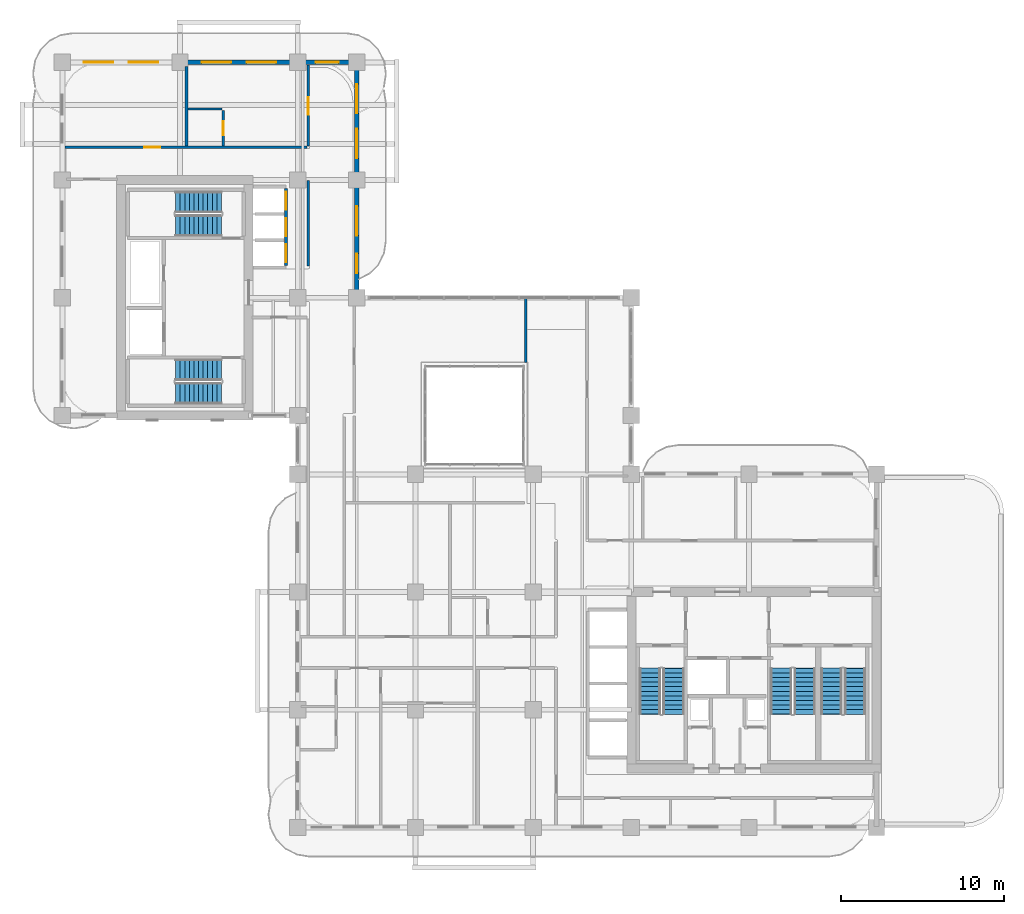
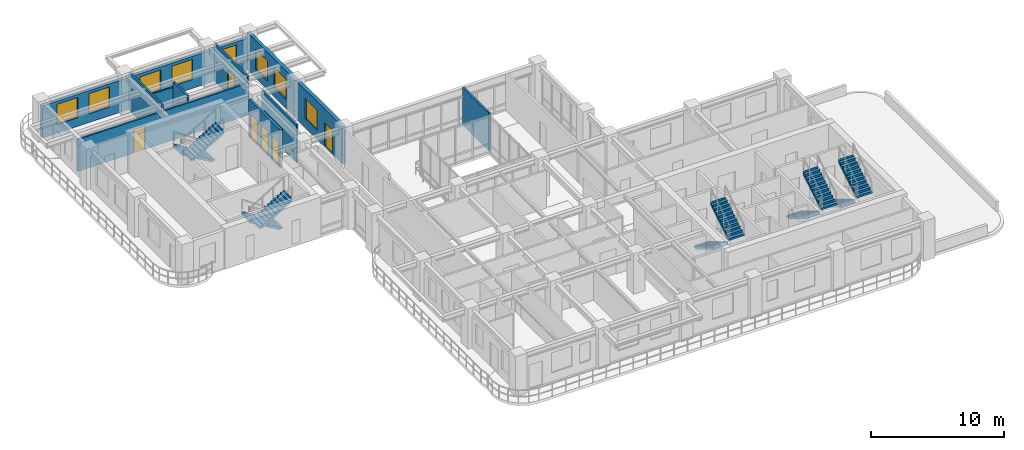
# One storey, part 15 of 20: 10 stair flights, 10 walls, 8 windows, 7 doors, 15 openings, 5 elements without a shape of their own.
"""IFC4 building model written with IfcOpenShell, lengths in metres."""

from ifc_helpers import new_model, si_unit, derived_unit, direction, frame, frame_2d, origin, place, context, subcontext, project, spatial, polyline, rectangle, outline, extrude, source, transform, mapped, material, layer, layer_set, type_object, type_shapes, element, fill, aggregate, save


model = new_model("IFC4")

# Units and contexts
model_context = context("Model", 3, precision=1e-05, world=origin(), true_north=direction((0.0, 1.0)))
body_context = subcontext(model_context, "Body", "Model", "MODEL_VIEW")
ifc_project = project(units=[si_unit("LENGTHUNIT", "METRE"), si_unit("AREAUNIT", "SQUARE_METRE"), si_unit("VOLUMEUNIT", "CUBIC_METRE"), si_unit("PLANEANGLEUNIT", "RADIAN"), si_unit("MASSUNIT", "GRAM", prefix="KILO"), si_unit("THERMODYNAMICTEMPERATUREUNIT", "KELVIN"), si_unit("POWERUNIT", "WATT"), derived_unit("THERMALTRANSMITTANCEUNIT", [(si_unit("POWERUNIT", "WATT"), 1), (si_unit("AREAUNIT", "SQUARE_METRE"), -1), (si_unit("THERMODYNAMICTEMPERATUREUNIT", "KELVIN"), -1)])], contexts=[model_context])

# Site, building, storey
site_placement = place(None, origin())
site = spatial("IfcSite", under=ifc_project, at=site_placement, CompositionType="ELEMENT")
building_placement = place(site_placement, origin())
building = spatial("IfcBuilding", under=site, at=building_placement, Name="Zahravan Archway Hotel and Residences", CompositionType="ELEMENT")
storey_placement = place(building_placement, frame((0.0, 0.0, 111.800048828125)))
storey = spatial("IfcBuildingStorey", under=building, at=storey_placement, Name="L27", CompositionType="ELEMENT", Elevation=111.800048828125)

# Wall, openings, windows
ifc_material_1 = material(Name="Honed Red-Ochre Sandstone & Insulated Block", Category="masonry")
ifc_layer_1 = layer(ifc_material_1, 0.280029296875, Name="Honed Red-Ochre Sandstone & Insulated Block", Category="masonry")
ifc_layer_set_1 = layer_set([ifc_layer_1], Name="Honed Red-Ochre Sandstone & Insulated Block")
wall_type_1 = type_object("IfcWallType", Name="EW-LOG-280", PredefinedType="SOLIDWALL", material=ifc_layer_set_1)
wall_1_placement = place(storey_placement, frame((0.0, 46.800048828125, 0.0), z_axis=(0.0, 0.0, 1.0), x_axis=(1.0, 0.0, 0.0)))
wall_1 = element("IfcWall", 1, at=wall_1_placement, inside=storey, type_object=wall_type_1, Name="L27 Exterior Sandstone Wall WB-N", PredefinedType="SOLIDWALL", context=body_context, shape_type="SweptSolid", body=[
    extrude(rectangle(XDim=18.0, YDim=0.280029296875, at=frame_2d((9.0, 0.0))), origin(), (0.0, 0.0, 1.0), 2.93505859375),
])
opening_1_placement = place(wall_1_placement, frame((1.324951171875, 0.0, 0.800048828125)))
opening_1 = element("IfcOpeningElement", 2, at=opening_1_placement, cuts=wall_1, Name="Opening W-02", PredefinedType="OPENING", context=body_context, shape_type="SweptSolid", body=[
    extrude(rectangle(XDim=1.800048828125, YDim=1.85009765625, at=frame_2d((0.89990234375, 0.925048828125))), frame((0.0, 0.14990234375, 0.0), z_axis=(0.0, -1.0, 0.0), x_axis=(1.0, 0.0, 0.0)), (0.0, 0.0, 1.0), 0.300048828125),
])
opening_2_placement = place(wall_1_placement, frame((4.074951171875, 0.0, 0.800048828125)))
opening_2 = element("IfcOpeningElement", 3, at=opening_2_placement, cuts=wall_1, Name="Opening W-02", PredefinedType="OPENING", context=body_context, shape_type="SweptSolid", body=[
    extrude(rectangle(XDim=1.800048828125, YDim=1.85009765625, at=frame_2d((0.89990234375, 0.925048828125))), frame((0.0, 0.14990234375, 0.0), z_axis=(0.0, -1.0, 0.0), x_axis=(1.0, 0.0, 0.0)), (0.0, 0.0, 1.0), 0.300048828125),
])
opening_3_placement = place(wall_1_placement, frame((8.52490234375, 0.0, 0.800048828125)))
opening_3 = element("IfcOpeningElement", 4, at=opening_3_placement, cuts=wall_1, Name="Opening W-02", PredefinedType="OPENING", context=body_context, shape_type="SweptSolid", body=[
    extrude(rectangle(XDim=1.800048828125, YDim=1.85009765625, at=frame_2d((0.89990234375, 0.925048828125))), frame((0.0, 0.14990234375, 0.0), z_axis=(0.0, -1.0, 0.0), x_axis=(1.0, 0.0, 0.0)), (0.0, 0.0, 1.0), 0.300048828125),
])
opening_4_placement = place(wall_1_placement, frame((11.27490234375, 0.0, 0.800048828125)))
opening_4 = element("IfcOpeningElement", 5, at=opening_4_placement, cuts=wall_1, Name="Opening W-02", PredefinedType="OPENING", context=body_context, shape_type="SweptSolid", body=[
    extrude(rectangle(XDim=1.800048828125, YDim=1.85009765625, at=frame_2d((0.89990234375, 0.925048828125))), frame((0.0, 0.14990234375, 0.0), z_axis=(0.0, -1.0, 0.0), x_axis=(1.0, 0.0, 0.0)), (0.0, 0.0, 1.0), 0.300048828125),
])
opening_5_placement = place(wall_1_placement, frame((15.5, 0.0, 0.800048828125)))
opening_5 = element("IfcOpeningElement", 6, at=opening_5_placement, cuts=wall_1, Name="Opening W-03", PredefinedType="OPENING", context=body_context, shape_type="SweptSolid", body=[
    extrude(rectangle(XDim=1.39990234375, YDim=1.85009765625, at=frame_2d((0.699951171875, 0.925048828125))), frame((0.0, 0.14990234375, 0.0), z_axis=(0.0, -1.0, 0.0), x_axis=(1.0, 0.0, 0.0)), (0.0, 0.0, 1.0), 0.300048828125),
])
ifc_material_2 = material(Name="Bronze-Anodized Thermal-Break Aluminium & Low-E Glass", Category="aluminium")
window_type_1 = type_object("IfcWindowType", Name="WIN-TWR-1400", PartitioningType="SINGLE_PANEL", PredefinedType="WINDOW", material=ifc_material_2)
shared_shape_1 = source(origin(), body_context, "Body", "SweptSolid", [
    extrude(rectangle(XDim=1.39990234375, YDim=1.85009765625, at=frame_2d((0.699951171875, 0.925048828125))), frame((0.0, 0.030029296875, 0.0), z_axis=(0.0, -1.0, 0.0), x_axis=(1.0, 0.0, 0.0)), (0.0, 0.0, 1.0), 0.06005859375),
])
type_shapes(window_type_1, [shared_shape_1])
window_1_placement = place(opening_5_placement, origin())
window_1 = element("IfcWindow", 7, at=window_1_placement, inside=storey, type_object=window_type_1, Name="L27 Loggia Window 30", OverallHeight=1.85009765625, OverallWidth=1.39990234375, PartitioningType="SINGLE_PANEL", PredefinedType="WINDOW", context=body_context, shape_type="MappedRepresentation", body=[
    mapped(shared_shape_1, transform((0.0, 0.0, 0.0), scale=1.0)),
])
fill(opening_5, window_1)
window_type_2 = type_object("IfcWindowType", Name="WIN-TWR-1800", PartitioningType="DOUBLE_PANEL_VERTICAL", PredefinedType="WINDOW", material=ifc_material_2)
shared_shape_2 = source(origin(), body_context, "Body", "SweptSolid", [
    extrude(rectangle(XDim=1.800048828125, YDim=1.85009765625, at=frame_2d((0.89990234375, 0.925048828125))), frame((0.0, 0.030029296875, 0.0), z_axis=(0.0, -1.0, 0.0), x_axis=(1.0, 0.0, 0.0)), (0.0, 0.0, 1.0), 0.06005859375),
])
type_shapes(window_type_2, [shared_shape_2])
window_2_placement = place(opening_1_placement, origin())
window_2 = element("IfcWindow", 8, at=window_2_placement, inside=storey, type_object=window_type_2, Name="L27 Loggia Window 26", OverallHeight=1.85009765625, OverallWidth=1.800048828125, PartitioningType="DOUBLE_PANEL_VERTICAL", PredefinedType="WINDOW", context=body_context, shape_type="MappedRepresentation", body=[
    mapped(shared_shape_2, transform((0.0, 0.0, 0.0), scale=1.0)),
])
fill(opening_1, window_2)
window_3_placement = place(opening_2_placement, origin())
window_3 = element("IfcWindow", 9, at=window_3_placement, inside=storey, type_object=window_type_2, Name="L27 Loggia Window 27", OverallHeight=1.85009765625, OverallWidth=1.800048828125, PartitioningType="DOUBLE_PANEL_VERTICAL", PredefinedType="WINDOW", context=body_context, shape_type="MappedRepresentation", body=[
    mapped(shared_shape_2, transform((0.0, 0.0, 0.0), scale=1.0)),
])
fill(opening_2, window_3)
window_4_placement = place(opening_3_placement, origin())
window_4 = element("IfcWindow", 10, at=window_4_placement, inside=storey, type_object=window_type_2, Name="L27 Loggia Window 28", OverallHeight=1.85009765625, OverallWidth=1.800048828125, PartitioningType="DOUBLE_PANEL_VERTICAL", PredefinedType="WINDOW", context=body_context, shape_type="MappedRepresentation", body=[
    mapped(shared_shape_2, transform((0.0, 0.0, 0.0), scale=1.0)),
])
fill(opening_3, window_4)
window_5_placement = place(opening_4_placement, origin())
window_5 = element("IfcWindow", 11, at=window_5_placement, inside=storey, type_object=window_type_2, Name="L27 Loggia Window 29", OverallHeight=1.85009765625, OverallWidth=1.800048828125, PartitioningType="DOUBLE_PANEL_VERTICAL", PredefinedType="WINDOW", context=body_context, shape_type="MappedRepresentation", body=[
    mapped(shared_shape_2, transform((0.0, 0.0, 0.0), scale=1.0)),
])
fill(opening_4, window_5)

# Wall, openings, door, windows
wall_2_placement = place(storey_placement, frame((18.0, 32.39990234375, 0.0), z_axis=(0.0, 0.0, 1.0), x_axis=(0.0, 1.0, 0.0)))
wall_2 = element("IfcWall", 12, at=wall_2_placement, inside=storey, type_object=wall_type_1, Name="L27 Exterior Sandstone Wall WB-EU", PredefinedType="SOLIDWALL", context=body_context, shape_type="SweptSolid", body=[
    extrude(rectangle(XDim=14.35009765625, YDim=0.280029296875, at=frame_2d((7.175048828125, 0.0))), origin(), (0.0, 0.0, 1.0), 3.449951171875),
])
opening_6_placement = place(wall_2_placement, frame((1.5, 0.0, 0.0)))
opening_6 = element("IfcOpeningElement", 13, at=opening_6_placement, cuts=wall_2, Name="Opening ED-BL1", PredefinedType="OPENING", context=body_context, shape_type="SweptSolid", body=[
    extrude(rectangle(XDim=1.199951171875, YDim=2.199951171875, at=frame_2d((0.60009765625, 1.10009765625))), frame((0.0, 0.14990234375, 0.0), z_axis=(0.0, -1.0, 0.0), x_axis=(1.0, 0.0, 0.0)), (0.0, 0.0, 1.0), 0.300048828125),
])
opening_7_placement = place(wall_2_placement, frame((3.800048828125, 0.0, 0.800048828125)))
opening_7 = element("IfcOpeningElement", 14, at=opening_7_placement, cuts=wall_2, Name="Opening W-02", PredefinedType="OPENING", context=body_context, shape_type="SweptSolid", body=[
    extrude(rectangle(XDim=1.800048828125, YDim=1.85009765625, at=frame_2d((0.89990234375, 0.925048828125))), frame((0.0, 0.14990234375, 0.0), z_axis=(0.0, -1.0, 0.0), x_axis=(1.0, 0.0, 0.0)), (0.0, 0.0, 1.0), 0.300048828125),
])
opening_8_placement = place(wall_2_placement, frame((8.52490234375, 0.0, 0.800048828125)))
opening_8 = element("IfcOpeningElement", 15, at=opening_8_placement, cuts=wall_2, Name="Opening W-02", PredefinedType="OPENING", context=body_context, shape_type="SweptSolid", body=[
    extrude(rectangle(XDim=1.800048828125, YDim=1.85009765625, at=frame_2d((0.89990234375, 0.925048828125))), frame((0.0, 0.14990234375, 0.0), z_axis=(0.0, -1.0, 0.0), x_axis=(1.0, 0.0, 0.0)), (0.0, 0.0, 1.0), 0.300048828125),
])
opening_9_placement = place(wall_2_placement, frame((11.27490234375, 0.0, 0.800048828125)))
opening_9 = element("IfcOpeningElement", 16, at=opening_9_placement, cuts=wall_2, Name="Opening W-02", PredefinedType="OPENING", context=body_context, shape_type="SweptSolid", body=[
    extrude(rectangle(XDim=1.800048828125, YDim=1.85009765625, at=frame_2d((0.89990234375, 0.925048828125))), frame((0.0, 0.14990234375, 0.0), z_axis=(0.0, -1.0, 0.0), x_axis=(1.0, 0.0, 0.0)), (0.0, 0.0, 1.0), 0.300048828125),
])
ifc_material_3 = material(Name="Bronze-Anodized Glazed Aluminium", Category="aluminium")
door_type_1 = type_object("IfcDoorType", Name="ED-BALC-1200", OperationType="SLIDING_TO_LEFT", PredefinedType="DOOR", material=ifc_material_3)
shared_shape_3 = source(origin(), body_context, "Body", "SweptSolid", [
    extrude(rectangle(XDim=1.199951171875, YDim=2.199951171875, at=frame_2d((0.60009765625, 1.10009765625))), frame((0.0, 0.02490234375, 0.0), z_axis=(0.0, -1.0, 0.0), x_axis=(1.0, 0.0, 0.0)), (0.0, 0.0, 1.0), 0.050048828125),
])
type_shapes(door_type_1, [shared_shape_3])
door_1_placement = place(opening_6_placement, origin())
door_1 = element("IfcDoor", 17, at=door_1_placement, inside=storey, type_object=door_type_1, Name="L27 Outdoor Access Sliding Door (SLB-BAL-L27-EB)", OperationType="SLIDING_TO_LEFT", OverallHeight=2.199951171875, OverallWidth=1.199951171875, PredefinedType="DOOR", context=body_context, shape_type="MappedRepresentation", body=[
    mapped(shared_shape_3, transform((0.0, 0.0, 0.0), scale=1.0)),
])
fill(opening_6, door_1)
window_6_placement = place(opening_7_placement, origin())
window_6 = element("IfcWindow", 18, at=window_6_placement, inside=storey, type_object=window_type_2, Name="L27 Loggia Window 31", OverallHeight=1.85009765625, OverallWidth=1.800048828125, PartitioningType="DOUBLE_PANEL_VERTICAL", PredefinedType="WINDOW", context=body_context, shape_type="MappedRepresentation", body=[
    mapped(shared_shape_2, transform((0.0, 0.0, 0.0), scale=1.0)),
])
fill(opening_7, window_6)
window_7_placement = place(opening_8_placement, origin())
window_7 = element("IfcWindow", 19, at=window_7_placement, inside=storey, type_object=window_type_2, Name="L27 Loggia Window 32", OverallHeight=1.85009765625, OverallWidth=1.800048828125, PartitioningType="DOUBLE_PANEL_VERTICAL", PredefinedType="WINDOW", context=body_context, shape_type="MappedRepresentation", body=[
    mapped(shared_shape_2, transform((0.0, 0.0, 0.0), scale=1.0)),
])
fill(opening_8, window_7)
window_8_placement = place(opening_9_placement, origin())
window_8 = element("IfcWindow", 20, at=window_8_placement, inside=storey, type_object=window_type_2, Name="L27 Loggia Window 33", OverallHeight=1.85009765625, OverallWidth=1.800048828125, PartitioningType="DOUBLE_PANEL_VERTICAL", PredefinedType="WINDOW", context=body_context, shape_type="MappedRepresentation", body=[
    mapped(shared_shape_2, transform((0.0, 0.0, 0.0), scale=1.0)),
])
fill(opening_9, window_8)

# Wall
ifc_material_4 = material(Name="Fire-Rated Gypsum & Concrete Block", Category="concrete")
ifc_layer_2 = layer(ifc_material_4, 0.159912109375, Name="Fire-Rated Gypsum & Concrete Block", Category="concrete")
ifc_layer_set_2 = layer_set([ifc_layer_2], Name="Fire-Rated Gypsum & Concrete Block")
wall_type_2 = type_object("IfcWallType", Name="PW-CORR-160", PredefinedType="PARTITIONING", material=ifc_layer_set_2)
wall_3_placement = place(storey_placement, frame((15.050048828125, 34.340087890625, 0.0), z_axis=(0.0, 0.0, 1.0), x_axis=(0.0, 1.0, 0.0)))
element("IfcWall", 21, at=wall_3_placement, inside=storey, type_object=wall_type_2, Name="L27 Partition WBN-CL", PredefinedType="PARTITIONING", context=body_context, shape_type="SweptSolid", body=[
    extrude(rectangle(XDim=5.219970703125, YDim=0.159912109375, at=frame_2d((2.60986328125, 0.0))), origin(), (0.0, 0.0, 1.0), 3.449951171875),
])

# Wall, opening, door
wall_4_placement = place(storey_placement, frame((15.050048828125, 41.68994140625, 0.0), z_axis=(0.0, 0.0, 1.0), x_axis=(0.0, 1.0, 0.0)))
wall_4 = element("IfcWall", 22, at=wall_4_placement, inside=storey, type_object=wall_type_2, Name="L27 Partition WBN-CU", PredefinedType="PARTITIONING", context=body_context, shape_type="SweptSolid", body=[
    extrude(rectangle(XDim=4.962158203125, YDim=0.159912109375, at=frame_2d((2.48095703125, 0.0))), origin(), (0.0, 0.0, 1.0), 3.449951171875),
])
opening_10_placement = place(wall_4_placement, frame((1.909912109375, 0.0, 0.0)))
opening_10 = element("IfcOpeningElement", 23, at=opening_10_placement, cuts=wall_4, Name="Opening D-U1", PredefinedType="OPENING", context=body_context, shape_type="SweptSolid", body=[
    extrude(rectangle(XDim=1.050048828125, YDim=2.25, at=frame_2d((0.52490234375, 1.125))), frame((0.0, 0.08984375, 0.0), z_axis=(0.0, -1.0, 0.0), x_axis=(1.0, 0.0, 0.0)), (0.0, 0.0, 1.0), 0.179931640625),
])
ifc_material_5 = material(Name="Hardwood Veneer Timber", Category="wood")
door_type_2 = type_object("IfcDoorType", Name="ID-UNIT-1050", OperationType="NOTDEFINED", PredefinedType="DOOR", material=ifc_material_5)
shared_shape_4 = source(origin(), body_context, "Body", "SweptSolid", [
    extrude(rectangle(XDim=1.050048828125, YDim=2.25, at=frame_2d((0.52490234375, 1.125))), frame((0.0, 0.02490234375, 0.0), z_axis=(0.0, -1.0, 0.0), x_axis=(1.0, 0.0, 0.0)), (0.0, 0.0, 1.0), 0.050048828125),
])
type_shapes(door_type_2, [shared_shape_4])
door_2_placement = place(opening_10_placement, origin())
door_2 = element("IfcDoor", 24, at=door_2_placement, inside=storey, type_object=door_type_2, Name="L27 Hotel Guestroom 78 Entrance Door", OperationType="SINGLE_SWING_LEFT", OverallHeight=2.25, OverallWidth=1.050048828125, PredefinedType="DOOR", context=body_context, shape_type="MappedRepresentation", body=[
    mapped(shared_shape_4, transform((0.0, 0.0, 0.0), scale=1.0)),
])
fill(opening_10, door_2)

wall_5_placement = place(storey_placement, frame((0.14794921875, 41.60009765625, 0.0), z_axis=(0.0, 0.0, 1.0), x_axis=(1.0, 0.0, 0.0)))
wall_5 = element("IfcWall", 25, at=wall_5_placement, inside=storey, type_object=wall_type_2, Name="L27 Partition WBN-S2", PredefinedType="PARTITIONING", context=body_context, shape_type="SweptSolid", body=[
    extrude(rectangle(XDim=14.81201171875, YDim=0.159912109375, at=frame_2d((7.406005859375, 0.0))), origin(), (0.0, 0.0, 1.0), 2.93505859375),
])
opening_11_placement = place(wall_5_placement, frame((4.876953125, 0.0, 0.0)))
opening_11 = element("IfcOpeningElement", 26, at=opening_11_placement, cuts=wall_5, Name="Opening D-I1", PredefinedType="OPENING", context=body_context, shape_type="SweptSolid", body=[
    extrude(rectangle(XDim=0.949951171875, YDim=2.14990234375, at=frame_2d((0.47509765625, 1.074951171875))), frame((0.0, 0.08984375, 0.0), z_axis=(0.0, -1.0, 0.0), x_axis=(1.0, 0.0, 0.0)), (0.0, 0.0, 1.0), 0.179931640625),
])
door_type_3 = type_object("IfcDoorType", Name="ID-INT-950", OperationType="NOTDEFINED", PredefinedType="DOOR", material=ifc_material_5)
shared_shape_5 = source(origin(), body_context, "Body", "SweptSolid", [
    extrude(rectangle(XDim=0.949951171875, YDim=2.14990234375, at=frame_2d((0.47509765625, 1.074951171875))), frame((0.0, 0.02490234375, 0.0), z_axis=(0.0, -1.0, 0.0), x_axis=(1.0, 0.0, 0.0)), (0.0, 0.0, 1.0), 0.050048828125),
])
type_shapes(door_type_3, [shared_shape_5])
door_3_placement = place(opening_11_placement, origin())
door_3 = element("IfcDoor", 27, at=door_3_placement, inside=storey, type_object=door_type_3, Name="L27 North West Study Door", OperationType="SINGLE_SWING_LEFT", OverallHeight=2.14990234375, OverallWidth=0.949951171875, PredefinedType="DOOR", context=body_context, shape_type="MappedRepresentation", body=[
    mapped(shared_shape_5, transform((0.0, 0.0, 0.0), scale=1.0)),
])
fill(opening_11, door_3)

# Wall
wall_6_placement = place(storey_placement, frame((28.35009765625, 28.43994140625, 0.0), z_axis=(0.0, 0.0, 1.0), x_axis=(0.0, 1.0, 0.0)))
element("IfcWall", 28, at=wall_6_placement, inside=storey, type_object=wall_type_2, Name="L27 Partition ATR-NWE", PredefinedType="PARTITIONING", context=body_context, shape_type="SweptSolid", body=[
    extrude(rectangle(XDim=3.93212890625, YDim=0.159912109375, at=frame_2d((1.966064453125, 0.0))), origin(), (0.0, 0.0, 1.0), 3.449951171875),
])

# Wall, openings, doors
ifc_layer_3 = layer(ifc_material_4, 0.199951171875, Name="Fire-Rated Gypsum & Concrete Block", Category="concrete")
ifc_layer_set_3 = layer_set([ifc_layer_3], Name="Fire-Rated Gypsum & Concrete Block")
wall_type_3 = type_object("IfcWallType", Name="PW-SHAFT-200", PredefinedType="PARTITIONING", material=ifc_layer_set_3)
wall_7_placement = place(storey_placement, frame((13.679931640625, 34.360107421875, 0.0), z_axis=(0.0, 0.0, 1.0), x_axis=(0.0, 1.0, 0.0)))
wall_7 = element("IfcWall", 29, at=wall_7_placement, inside=storey, type_object=wall_type_3, Name="L27 Partition B2-E", PredefinedType="PARTITIONING", context=body_context, shape_type="SweptSolid", body=[
    extrude(rectangle(XDim=4.719970703125, YDim=0.199951171875, at=frame_2d((2.35986328125, 0.0))), origin(), (0.0, 0.0, 1.0), 3.449951171875),
])
opening_12_placement = place(wall_7_placement, frame((0.2099609375, 0.0, 0.0)))
opening_12 = element("IfcOpeningElement", 30, at=opening_12_placement, cuts=wall_7, Name="Opening LD", PredefinedType="OPENING", context=body_context, shape_type="SweptSolid", body=[
    extrude(rectangle(XDim=1.10009765625, YDim=2.199951171875, at=frame_2d((0.550048828125, 1.10009765625))), frame((0.0, 0.10986328125, 0.0), z_axis=(0.0, -1.0, 0.0), x_axis=(1.0, 0.0, 0.0)), (0.0, 0.0, 1.0), 0.219970703125),
])
opening_13_placement = place(wall_7_placement, frame((1.81005859375, 0.0, 0.0)))
opening_13 = element("IfcOpeningElement", 31, at=opening_13_placement, cuts=wall_7, Name="Opening LD", PredefinedType="OPENING", context=body_context, shape_type="SweptSolid", body=[
    extrude(rectangle(XDim=1.10009765625, YDim=2.199951171875, at=frame_2d((0.550048828125, 1.10009765625))), frame((0.0, 0.10986328125, 0.0), z_axis=(0.0, -1.0, 0.0), x_axis=(1.0, 0.0, 0.0)), (0.0, 0.0, 1.0), 0.219970703125),
])
opening_14_placement = place(wall_7_placement, frame((3.409912109375, 0.0, 0.0)))
opening_14 = element("IfcOpeningElement", 32, at=opening_14_placement, cuts=wall_7, Name="Opening LD", PredefinedType="OPENING", context=body_context, shape_type="SweptSolid", body=[
    extrude(rectangle(XDim=1.10009765625, YDim=2.199951171875, at=frame_2d((0.550048828125, 1.10009765625))), frame((0.0, 0.10986328125, 0.0), z_axis=(0.0, -1.0, 0.0), x_axis=(1.0, 0.0, 0.0)), (0.0, 0.0, 1.0), 0.219970703125),
])
ifc_material_6 = material(Name="Brushed Stainless Steel", Category="steel")
door_type_4 = type_object("IfcDoorType", Name="DR-LIFT-LD", OperationType="SLIDING_TO_LEFT", PredefinedType="DOOR", material=ifc_material_6)
shared_shape_6 = source(origin(), body_context, "Body", "SweptSolid", [
    extrude(rectangle(XDim=1.10009765625, YDim=2.199951171875, at=frame_2d((0.550048828125, 1.10009765625))), frame((0.0, 0.02490234375, 0.0), z_axis=(0.0, -1.0, 0.0), x_axis=(1.0, 0.0, 0.0)), (0.0, 0.0, 1.0), 0.050048828125),
])
type_shapes(door_type_4, [shared_shape_6])
door_4_placement = place(opening_12_placement, origin())
door_4 = element("IfcDoor", 33, at=door_4_placement, inside=storey, type_object=door_type_4, Name="L27 Lift LP-4 Sliding Landing Door", OperationType="SLIDING_TO_LEFT", OverallHeight=2.199951171875, OverallWidth=1.10009765625, PredefinedType="DOOR", context=body_context, shape_type="MappedRepresentation", body=[
    mapped(shared_shape_6, transform((0.0, 0.0, 0.0), scale=1.0)),
])
fill(opening_12, door_4)
door_5_placement = place(opening_13_placement, origin())
door_5 = element("IfcDoor", 34, at=door_5_placement, inside=storey, type_object=door_type_4, Name="L27 Lift LP-5 Sliding Landing Door", OperationType="SLIDING_TO_LEFT", OverallHeight=2.199951171875, OverallWidth=1.10009765625, PredefinedType="DOOR", context=body_context, shape_type="MappedRepresentation", body=[
    mapped(shared_shape_6, transform((0.0, 0.0, 0.0), scale=1.0)),
])
fill(opening_13, door_5)
door_6_placement = place(opening_14_placement, origin())
door_6 = element("IfcDoor", 35, at=door_6_placement, inside=storey, type_object=door_type_4, Name="L27 Lift LP-6 Sliding Landing Door", OperationType="SLIDING_TO_LEFT", OverallHeight=2.199951171875, OverallWidth=1.10009765625, PredefinedType="DOOR", context=body_context, shape_type="MappedRepresentation", body=[
    mapped(shared_shape_6, transform((0.0, 0.0, 0.0), scale=1.0)),
])
fill(opening_14, door_6)

# Walls
ifc_material_7 = material(Name="Acoustic Stud Partition")
ifc_layer_4 = layer(ifc_material_7, 0.169921875, Name="Acoustic Stud Partition")
ifc_layer_set_4 = layer_set([ifc_layer_4], Name="Acoustic Stud Partition")
wall_type_4 = type_object("IfcWallType", Name="PW-UNIT-170", PredefinedType="PARTITIONING", material=ifc_layer_set_4)
wall_8_placement = place(storey_placement, frame((7.60009765625, 41.68994140625, 0.0), z_axis=(0.0, 0.0, 1.0), x_axis=(0.0, 1.0, 0.0)))
element("IfcWall", 36, at=wall_8_placement, inside=storey, type_object=wall_type_4, Name="L27 Partition WBN-V2", PredefinedType="PARTITIONING", context=body_context, shape_type="SweptSolid", body=[
    extrude(rectangle(XDim=4.8701171875, YDim=0.169921875, at=frame_2d((2.43505859375, 0.0))), origin(), (0.0, 0.0, 1.0), 3.449951171875),
])
ifc_material_8 = material(Name="Moisture-Resistant Blockwork", Category="masonry")
ifc_layer_5 = layer(ifc_material_8, 0.139892578125, Name="Moisture-Resistant Blockwork", Category="masonry")
ifc_layer_set_5 = layer_set([ifc_layer_5], Name="Moisture-Resistant Blockwork")
wall_type_5 = type_object("IfcWallType", Name="PW-WET-140", PredefinedType="PARTITIONING", material=ifc_layer_set_5)
wall_9_placement = place(storey_placement, frame((7.68994140625, 43.949951171875, 0.0), z_axis=(0.0, 0.0, 1.0), x_axis=(1.0, 0.0, 0.0)))
element("IfcWall", 37, at=wall_9_placement, inside=storey, type_object=wall_type_5, Name="L27 Partition HKB-H78", PredefinedType="PARTITIONING", context=body_context, shape_type="SweptSolid", body=[
    extrude(rectangle(XDim=2.070068359375, YDim=0.139892578125, at=frame_2d((1.03515625, 0.0))), origin(), (0.0, 0.0, 1.0), 2.93505859375),
])

# Wall, opening, door
wall_10_placement = place(storey_placement, frame((9.85009765625, 41.68994140625, 0.0), z_axis=(0.0, 0.0, 1.0), x_axis=(0.0, 1.0, 0.0)))
wall_10 = element("IfcWall", 38, at=wall_10_placement, inside=storey, type_object=wall_type_5, Name="L27 Partition HKB-V78", PredefinedType="PARTITIONING", context=body_context, shape_type="SweptSolid", body=[
    extrude(rectangle(XDim=2.170166015625, YDim=0.139892578125, at=frame_2d((1.0849609375, 0.0))), origin(), (0.0, 0.0, 1.0), 3.449951171875),
])
opening_15_placement = place(wall_10_placement, frame((0.659912109375, 0.0, 0.0)))
opening_15 = element("IfcOpeningElement", 39, at=opening_15_placement, cuts=wall_10, Name="Opening D-B1", PredefinedType="OPENING", context=body_context, shape_type="SweptSolid", body=[
    extrude(rectangle(XDim=0.85009765625, YDim=2.10009765625, at=frame_2d((0.425048828125, 1.050048828125))), frame((0.0, 0.080078125, 0.0), z_axis=(0.0, -1.0, 0.0), x_axis=(1.0, 0.0, 0.0)), (0.0, 0.0, 1.0), 0.159912109375),
])
door_type_5 = type_object("IfcDoorType", Name="ID-BATH-850", OperationType="NOTDEFINED", PredefinedType="DOOR", material=ifc_material_5)
shared_shape_7 = source(origin(), body_context, "Body", "SweptSolid", [
    extrude(rectangle(XDim=0.85009765625, YDim=2.10009765625, at=frame_2d((0.425048828125, 1.050048828125))), frame((0.0, 0.02490234375, 0.0), z_axis=(0.0, -1.0, 0.0), x_axis=(1.0, 0.0, 0.0)), (0.0, 0.0, 1.0), 0.050048828125),
])
type_shapes(door_type_5, [shared_shape_7])
door_7_placement = place(opening_15_placement, origin())
door_7 = element("IfcDoor", 40, at=door_7_placement, inside=storey, type_object=door_type_5, Name="L27 Guestroom 78 En-Suite Door", OperationType="SINGLE_SWING_RIGHT", OverallHeight=2.10009765625, OverallWidth=0.85009765625, PredefinedType="DOOR", context=body_context, shape_type="MappedRepresentation", body=[
    mapped(shared_shape_7, transform((0.0, 0.0, 0.0), scale=1.0)),
])
fill(opening_15, door_7)

# Stair, stair flights
ifc_material_9 = material(Name="Concrete C50/60", Category="concrete")
stair_type = type_object("IfcStairType", Name="STR-CORE-1300", PredefinedType="HALF_TURN_STAIR", material=ifc_material_9)
stair_1_placement = place(storey_placement, origin())
stair_1 = element("IfcStair", 41, at=stair_1_placement, inside=storey, type_object=stair_type, Name="L27 Core A Exit Stair 1", PredefinedType="HALF_TURN_STAIR")
ifc_layer_6 = layer(ifc_material_9, 0.199951171875, Name="Concrete C50/60", Category="concrete")
ifc_layer_set_6 = layer_set([ifc_layer_6], Name="Concrete C50/60")
stair_flight_type = type_object("IfcStairFlightType", Name="SFL-CORE-1300", PredefinedType="STRAIGHT", material=ifc_layer_set_6)
shared_shape_8 = source(origin(), body_context, "Body", "SweptSolid", [
    extrude(outline(polyline([(-0.01611328125, 0.0), (-0.01611328125, 0.168212890625), (0.280029296875, 0.168212890625), (0.280029296875, 0.33642578125), (0.56005859375, 0.33642578125), (0.56005859375, 0.504638671875), (0.840087890625, 0.504638671875), (0.840087890625, 0.672607421875), (1.1201171875, 0.672607421875), (1.1201171875, 0.8408203125), (1.39990234375, 0.8408203125), (1.39990234375, 1.009033203125), (1.679931640625, 1.009033203125), (1.679931640625, 1.17724609375), (1.9599609375, 1.17724609375), (1.9599609375, 1.345458984375), (2.239990234375, 1.345458984375), (2.239990234375, 1.513671875), (2.52001953125, 1.513671875), (2.52001953125, 1.681884765625), (2.800048828125, 1.681884765625), (2.800048828125, 1.85009765625), (2.816162109375, 1.85009765625), (2.816162109375, 1.5068359375), (0.291015625, 0.0), (-0.01611328125, 0.0)])), frame((0.0, 0.64990234375, 0.0), z_axis=(0.0, -1.0, 0.0), x_axis=(1.0, 0.0, 0.0)), (0.0, 0.0, 1.0), 1.300048828125),
])
stair_flight_1_placement = place(storey_placement, frame((35.949951171875, 9.72998046875, 0.0), z_axis=(0.0, 0.0, 1.0), x_axis=(0.0, -1.0, 0.0)))
stair_flight_1 = element("IfcStairFlight", 42, at=stair_flight_1_placement, type_object=stair_flight_type, Name="ST-A1 flight 1", NumberOfRisers=11, NumberOfTreads=10, PredefinedType="STRAIGHT", RiserHeight=0.168181818, TreadLength=0.28, context=body_context, shape_type="MappedRepresentation", body=[
    mapped(shared_shape_8, transform((0.0, 0.0, 0.0), scale=1.0)),
])
stair_flight_2_placement = place(storey_placement, frame((37.389892578125, 6.929931640625, 1.849853515625), z_axis=(0.0, 0.0, 1.0), x_axis=(0.0, 1.0, 0.0)))
stair_flight_2 = element("IfcStairFlight", 43, at=stair_flight_2_placement, type_object=stair_flight_type, Name="ST-A1 flight 2", NumberOfRisers=11, NumberOfTreads=10, PredefinedType="STRAIGHT", RiserHeight=0.168181818, TreadLength=0.28, context=body_context, shape_type="MappedRepresentation", body=[
    mapped(shared_shape_8, transform((0.0, 0.0, 0.0), scale=1.0)),
])
aggregate(stair_1, [stair_flight_1, stair_flight_2])

stair_2_placement = place(storey_placement, origin())
stair_2 = element("IfcStair", 44, at=stair_2_placement, inside=storey, type_object=stair_type, Name="L27 Core A Exit Stair 2", PredefinedType="HALF_TURN_STAIR")
stair_flight_3_placement = place(storey_placement, frame((43.969970703125, 9.72998046875, 0.0), z_axis=(0.0, 0.0, 1.0), x_axis=(0.0, -1.0, 0.0)))
stair_flight_3 = element("IfcStairFlight", 45, at=stair_flight_3_placement, type_object=stair_flight_type, Name="ST-A2 flight 1", NumberOfRisers=11, NumberOfTreads=10, PredefinedType="STRAIGHT", RiserHeight=0.168181818, TreadLength=0.28, context=body_context, shape_type="MappedRepresentation", body=[
    mapped(shared_shape_8, transform((0.0, 0.0, 0.0), scale=1.0)),
])
stair_flight_4_placement = place(storey_placement, frame((45.409912109375, 6.929931640625, 1.849853515625), z_axis=(0.0, 0.0, 1.0), x_axis=(0.0, 1.0, 0.0)))
stair_flight_4 = element("IfcStairFlight", 46, at=stair_flight_4_placement, type_object=stair_flight_type, Name="ST-A2 flight 2", NumberOfRisers=11, NumberOfTreads=10, PredefinedType="STRAIGHT", RiserHeight=0.168181818, TreadLength=0.28, context=body_context, shape_type="MappedRepresentation", body=[
    mapped(shared_shape_8, transform((0.0, 0.0, 0.0), scale=1.0)),
])
aggregate(stair_2, [stair_flight_3, stair_flight_4])

stair_3_placement = place(storey_placement, origin())
stair_3 = element("IfcStair", 47, at=stair_3_placement, inside=storey, type_object=stair_type, Name="L27 Core A Exit Stair 3", PredefinedType="HALF_TURN_STAIR")
stair_flight_5_placement = place(storey_placement, frame((47.050048828125, 9.72998046875, 0.0), z_axis=(0.0, 0.0, 1.0), x_axis=(0.0, -1.0, 0.0)))
stair_flight_5 = element("IfcStairFlight", 48, at=stair_flight_5_placement, type_object=stair_flight_type, Name="ST-A3 flight 1", NumberOfRisers=11, NumberOfTreads=10, PredefinedType="STRAIGHT", RiserHeight=0.168181818, TreadLength=0.28, context=body_context, shape_type="MappedRepresentation", body=[
    mapped(shared_shape_8, transform((0.0, 0.0, 0.0), scale=1.0)),
])
stair_flight_6_placement = place(storey_placement, frame((48.489990234375, 6.929931640625, 1.849853515625), z_axis=(0.0, 0.0, 1.0), x_axis=(0.0, 1.0, 0.0)))
stair_flight_6 = element("IfcStairFlight", 49, at=stair_flight_6_placement, type_object=stair_flight_type, Name="ST-A3 flight 2", NumberOfRisers=11, NumberOfTreads=10, PredefinedType="STRAIGHT", RiserHeight=0.168181818, TreadLength=0.28, context=body_context, shape_type="MappedRepresentation", body=[
    mapped(shared_shape_8, transform((0.0, 0.0, 0.0), scale=1.0)),
])
aggregate(stair_3, [stair_flight_5, stair_flight_6])

stair_4_placement = place(storey_placement, origin())
stair_4 = element("IfcStair", 50, at=stair_4_placement, inside=storey, type_object=stair_type, Name="L27 Core B Exit Stair 1", PredefinedType="HALF_TURN_STAIR")
stair_flight_7_placement = place(storey_placement, frame((9.72998046875, 27.989990234375, 0.0), z_axis=(0.0, 0.0, 1.0), x_axis=(-1.0, 0.0, 0.0)))
stair_flight_7 = element("IfcStairFlight", 51, at=stair_flight_7_placement, type_object=stair_flight_type, Name="ST-B1 flight 1", NumberOfRisers=11, NumberOfTreads=10, PredefinedType="STRAIGHT", RiserHeight=0.168181818, TreadLength=0.28, context=body_context, shape_type="MappedRepresentation", body=[
    mapped(shared_shape_8, transform((0.0, 0.0, 0.0), scale=1.0)),
])
stair_flight_8_placement = place(storey_placement, frame((6.929931640625, 26.550048828125, 1.849853515625), z_axis=(0.0, 0.0, 1.0), x_axis=(1.0, 0.0, 0.0)))
stair_flight_8 = element("IfcStairFlight", 52, at=stair_flight_8_placement, type_object=stair_flight_type, Name="ST-B1 flight 2", NumberOfRisers=11, NumberOfTreads=10, PredefinedType="STRAIGHT", RiserHeight=0.168181818, TreadLength=0.28, context=body_context, shape_type="MappedRepresentation", body=[
    mapped(shared_shape_8, transform((0.0, 0.0, 0.0), scale=1.0)),
])
aggregate(stair_4, [stair_flight_7, stair_flight_8])

stair_5_placement = place(storey_placement, origin())
stair_5 = element("IfcStair", 53, at=stair_5_placement, inside=storey, type_object=stair_type, Name="L27 Core B Exit Stair 2", PredefinedType="HALF_TURN_STAIR")
stair_flight_9_placement = place(storey_placement, frame((9.72998046875, 38.25, 0.0), z_axis=(0.0, 0.0, 1.0), x_axis=(-1.0, 0.0, 0.0)))
stair_flight_9 = element("IfcStairFlight", 54, at=stair_flight_9_placement, type_object=stair_flight_type, Name="ST-B2 flight 1", NumberOfRisers=11, NumberOfTreads=10, PredefinedType="STRAIGHT", RiserHeight=0.168181818, TreadLength=0.28, context=body_context, shape_type="MappedRepresentation", body=[
    mapped(shared_shape_8, transform((0.0, 0.0, 0.0), scale=1.0)),
])
stair_flight_10_placement = place(storey_placement, frame((6.929931640625, 36.81005859375, 1.849853515625), z_axis=(0.0, 0.0, 1.0), x_axis=(1.0, 0.0, 0.0)))
stair_flight_10 = element("IfcStairFlight", 55, at=stair_flight_10_placement, type_object=stair_flight_type, Name="ST-B2 flight 2", NumberOfRisers=11, NumberOfTreads=10, PredefinedType="STRAIGHT", RiserHeight=0.168181818, TreadLength=0.28, context=body_context, shape_type="MappedRepresentation", body=[
    mapped(shared_shape_8, transform((0.0, 0.0, 0.0), scale=1.0)),
])
aggregate(stair_5, [stair_flight_9, stair_flight_10])

save(model, "model.ifc")
